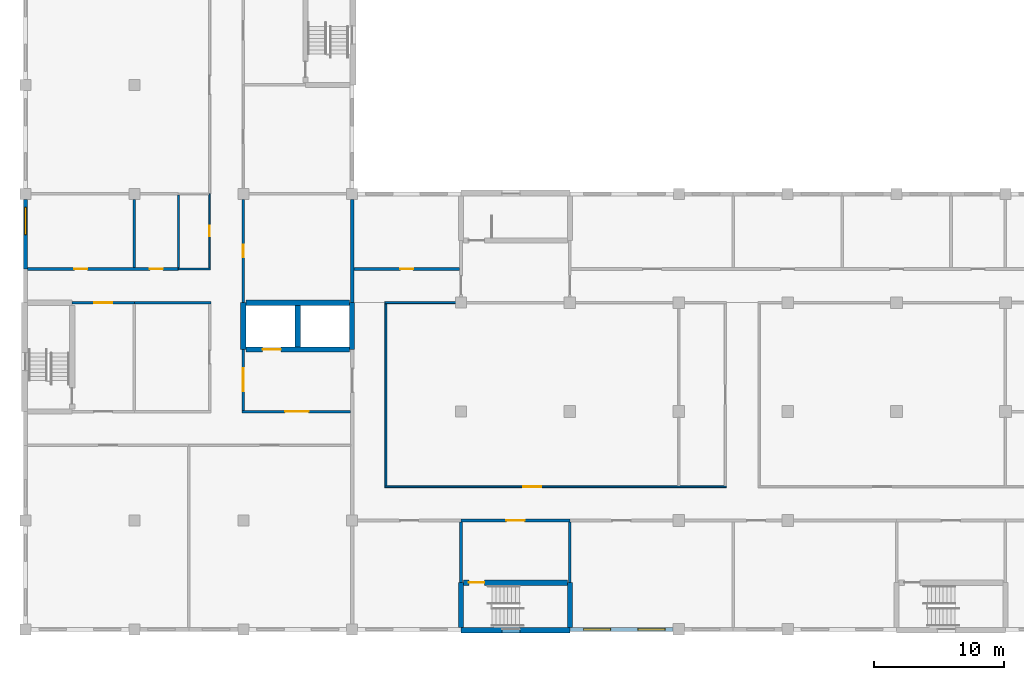
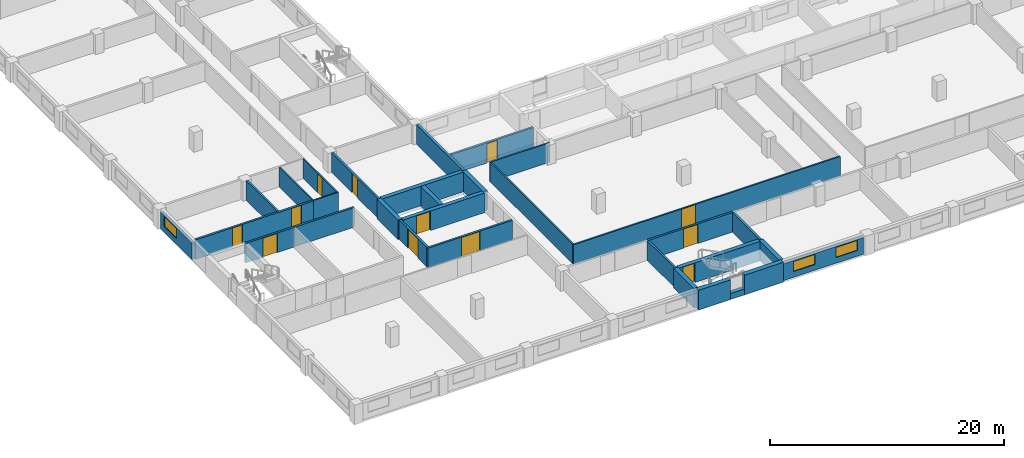
# One storey, part 30 of 48: 31 walls, 12 doors, 3 windows, 15 openings.
"""IFC4 building model written with IfcOpenShell, lengths in metres."""

from ifc_helpers import new_model, si_unit, direction, frame, frame_2d, origin, place, context, subcontext, project, spatial, rectangle, extrude, material, layer, layer_set, type_object, element, fill, save


model = new_model("IFC4")

# Units and contexts
model_context = context("Model", 3, precision=1e-05, world=origin(), true_north=direction((0.0, 1.0)))
body_context = subcontext(model_context, "Body", "Model", "MODEL_VIEW")
ifc_project = project(units=[si_unit("LENGTHUNIT", "METRE"), si_unit("AREAUNIT", "SQUARE_METRE"), si_unit("VOLUMEUNIT", "CUBIC_METRE"), si_unit("PLANEANGLEUNIT", "RADIAN"), si_unit("MASSUNIT", "GRAM", prefix="KILO")], contexts=[model_context])

# Site, building, storey
site_placement = place(None, origin())
site = spatial("IfcSite", under=ifc_project, at=site_placement, CompositionType="ELEMENT")
building_placement = place(site_placement, origin())
building = spatial("IfcBuilding", under=site, at=building_placement, Name="Yavir Park General Hospital", CompositionType="ELEMENT")
storey_placement = place(building_placement, frame((0.0, 0.0, 12.89990234375)))
storey = spatial("IfcBuildingStorey", under=building, at=storey_placement, Name="I02", CompositionType="ELEMENT", Elevation=12.89990234375)

# Wall
ifc_material_1 = material(Name="Concrete C30/37", Category="concrete")
ifc_layer_1 = layer(ifc_material_1, 0.25)
ifc_layer_set_1 = layer_set([ifc_layer_1], Name="Concrete C30/37")
wall_type_1 = type_object("IfcWallType", Name="Compartment fire wall 250, REI 150", PredefinedType="SOLIDWALL", material=ifc_layer_set_1)
wall_1_placement = place(storey_placement, frame((25.199951171875, 25.199951171875, 0.0), z_axis=(0.0, 0.0, 1.0), x_axis=(0.0, 1.0, 0.0)))
element("IfcWall", 1, at=wall_1_placement, inside=storey, type_object=wall_type_1, Name="FW25 I02-137", PredefinedType="SOLIDWALL", context=body_context, shape_type="SweptSolid", body=[
    extrude(rectangle(XDim=7.97509765625, YDim=0.25, at=frame_2d((3.987548828125, 0.0))), origin(), (0.0, 0.0, 1.0), 2.0400390625),
])

# Wall, opening, door
ifc_material_2 = material(Name="Double gypsum board fire partition on steel studs", Category="steel")
ifc_layer_2 = layer(ifc_material_2, 0.199951171875)
ifc_layer_set_2 = layer_set([ifc_layer_2], Name="Double gypsum board fire partition on steel studs")
wall_type_2 = type_object("IfcWallType", Name="Fire-rated partition 200, EI 60", PredefinedType="PARTITIONING", material=ifc_layer_set_2)
wall_2_placement = place(storey_placement, frame((33.60009765625, 8.39990234375, 0.0), z_axis=(0.0, 0.0, 1.0), x_axis=(1.0, 0.0, 0.0)))
wall_2 = element("IfcWall", 2, at=wall_2_placement, inside=storey, type_object=wall_type_2, Name="FP20 I02-006", PredefinedType="PARTITIONING", context=body_context, shape_type="SweptSolid", body=[
    extrude(rectangle(XDim=8.39990234375, YDim=0.199951171875, at=frame_2d((4.199951171875, 0.0))), origin(), (0.0, 0.0, 1.0), 2.0400390625),
])
opening_1_placement = place(wall_2_placement, frame((3.5, 0.0, 0.0)))
opening_1 = element("IfcOpeningElement", 3, at=opening_1_placement, cuts=wall_2, Name="Opening I02.D006", PredefinedType="OPENING", context=body_context, shape_type="SweptSolid", body=[
    extrude(rectangle(XDim=1.39990234375, YDim=2.0, at=frame_2d((0.699951171875, 1.0))), frame((0.0, 0.10986328125, 0.0), z_axis=(0.0, -1.0, 0.0), x_axis=(1.0, 0.0, 0.0)), (0.0, 0.0, 1.0), 0.219970703125),
])
ifc_material_3 = material(Name="Steel frame, fire-resisting leaves with vision panels", Category="steel")
door_type_1 = type_object("IfcDoorType", Name="Double fire door with vision panels 1400 x 2000, EI 60", OperationType="DOUBLE_DOOR_SINGLE_SWING", PredefinedType="DOOR", material=ifc_material_3)
door_1_placement = place(opening_1_placement, origin())
door_1 = element("IfcDoor", 4, at=door_1_placement, inside=storey, type_object=door_type_1, Name="I02.D006", OperationType="SINGLE_SWING_LEFT", OverallHeight=2.0, OverallWidth=1.39990234375, PredefinedType="DOOR", context=body_context, shape_type="SweptSolid", body=[
    extrude(rectangle(XDim=1.39990234375, YDim=2.0, at=frame_2d((0.699951171875, 1.0))), frame((0.0, 0.030029296875, 0.0), z_axis=(0.0, -1.0, 0.0), x_axis=(1.0, 0.0, 0.0)), (0.0, 0.0, 1.0), 0.06005859375),
])
fill(opening_1, door_1)

wall_3_placement = place(storey_placement, frame((16.699951171875, 16.800048828125, 0.0), z_axis=(0.0, 0.0, 1.0), x_axis=(1.0, 0.0, 0.0)))
wall_3 = element("IfcWall", 5, at=wall_3_placement, inside=storey, type_object=wall_type_2, Name="FP20 I02-032", PredefinedType="PARTITIONING", context=body_context, shape_type="SweptSolid", body=[
    extrude(rectangle(XDim=8.375, YDim=0.199951171875, at=frame_2d((4.1875, 0.0))), origin(), (0.0, 0.0, 1.0), 2.0400390625),
])
opening_2_placement = place(wall_3_placement, frame((3.33740234375, 0.0, 0.0)))
opening_2 = element("IfcOpeningElement", 6, at=opening_2_placement, cuts=wall_3, Name="Opening I02.D026", PredefinedType="OPENING", context=body_context, shape_type="SweptSolid", body=[
    extrude(rectangle(XDim=1.800048828125, YDim=2.0, at=frame_2d((0.89990234375, 1.0))), frame((0.0, 0.10986328125, 0.0), z_axis=(0.0, -1.0, 0.0), x_axis=(1.0, 0.0, 0.0)), (0.0, 0.0, 1.0), 0.219970703125),
])
ifc_material_4 = material(Name="Steel frame, fire-resisting leaves with vision panels", Category="steel")
door_type_2 = type_object("IfcDoorType", Name="Double fire door with vision panels 1800 x 2000, EI 60", OperationType="DOUBLE_DOOR_SINGLE_SWING", PredefinedType="DOOR", material=ifc_material_4)
door_2_placement = place(opening_2_placement, origin())
door_2 = element("IfcDoor", 7, at=door_2_placement, inside=storey, type_object=door_type_2, Name="I02.D026", OperationType="SINGLE_SWING_RIGHT", OverallHeight=2.0, OverallWidth=1.800048828125, PredefinedType="DOOR", context=body_context, shape_type="SweptSolid", body=[
    extrude(rectangle(XDim=1.800048828125, YDim=2.0, at=frame_2d((0.89990234375, 1.0))), frame((0.0, 0.030029296875, 0.0), z_axis=(0.0, -1.0, 0.0), x_axis=(1.0, 0.0, 0.0)), (0.0, 0.0, 1.0), 0.06005859375),
])
fill(opening_2, door_2)

wall_4_placement = place(storey_placement, frame((3.60009765625, 25.199951171875, 0.0), z_axis=(0.0, 0.0, 1.0), x_axis=(1.0, 0.0, 0.0)))
wall_4 = element("IfcWall", 8, at=wall_4_placement, inside=storey, type_object=wall_type_2, Name="FP20 I02-041", PredefinedType="PARTITIONING", context=body_context, shape_type="SweptSolid", body=[
    extrude(rectangle(XDim=4.7998046875, YDim=0.199951171875, at=frame_2d((2.39990234375, 0.0))), origin(), (0.0, 0.0, 1.0), 2.0400390625),
])
opening_3_placement = place(wall_4_placement, frame((1.699951171875, 0.0, 0.0)))
opening_3 = element("IfcOpeningElement", 9, at=opening_3_placement, cuts=wall_4, Name="Opening I02.D033", PredefinedType="OPENING", context=body_context, shape_type="SweptSolid", body=[
    extrude(rectangle(XDim=1.39990234375, YDim=2.0, at=frame_2d((0.699951171875, 1.0))), frame((0.0, 0.10986328125, 0.0), z_axis=(0.0, -1.0, 0.0), x_axis=(1.0, 0.0, 0.0)), (0.0, 0.0, 1.0), 0.219970703125),
])
door_3_placement = place(opening_3_placement, origin())
door_3 = element("IfcDoor", 10, at=door_3_placement, inside=storey, type_object=door_type_1, Name="I02.D033", OperationType="SINGLE_SWING_RIGHT", OverallHeight=2.0, OverallWidth=1.39990234375, PredefinedType="DOOR", context=body_context, shape_type="SweptSolid", body=[
    extrude(rectangle(XDim=1.39990234375, YDim=2.0, at=frame_2d((0.699951171875, 1.0))), frame((0.0, 0.030029296875, 0.0), z_axis=(0.0, -1.0, 0.0), x_axis=(1.0, 0.0, 0.0)), (0.0, 0.0, 1.0), 0.06005859375),
])
fill(opening_3, door_3)

wall_5_placement = place(storey_placement, frame((16.800048828125, 16.89990234375, 0.0), z_axis=(0.0, 0.0, 1.0), x_axis=(0.0, 1.0, 0.0)))
wall_5 = element("IfcWall", 11, at=wall_5_placement, inside=storey, type_object=wall_type_2, Name="FP20 I02-117", PredefinedType="PARTITIONING", context=body_context, shape_type="SweptSolid", body=[
    extrude(rectangle(XDim=4.7001953125, YDim=0.199951171875, at=frame_2d((2.35009765625, 0.0))), origin(), (0.0, 0.0, 1.0), 2.0400390625),
])
opening_4_placement = place(wall_5_placement, frame((1.449951171875, 0.0, 0.0)))
opening_4 = element("IfcOpeningElement", 12, at=opening_4_placement, cuts=wall_5, Name="Opening I02.D064", PredefinedType="OPENING", context=body_context, shape_type="SweptSolid", body=[
    extrude(rectangle(XDim=1.800048828125, YDim=2.0, at=frame_2d((0.89990234375, 1.0))), frame((0.0, 0.10986328125, 0.0), z_axis=(0.0, -1.0, 0.0), x_axis=(1.0, 0.0, 0.0)), (0.0, 0.0, 1.0), 0.219970703125),
])
door_4_placement = place(opening_4_placement, origin())
door_4 = element("IfcDoor", 13, at=door_4_placement, inside=storey, type_object=door_type_2, Name="I02.D064", OperationType="SINGLE_SWING_LEFT", OverallHeight=2.0, OverallWidth=1.800048828125, PredefinedType="DOOR", context=body_context, shape_type="SweptSolid", body=[
    extrude(rectangle(XDim=1.800048828125, YDim=2.0, at=frame_2d((0.89990234375, 1.0))), frame((0.0, 0.030029296875, 0.0), z_axis=(0.0, -1.0, 0.0), x_axis=(1.0, 0.0, 0.0)), (0.0, 0.0, 1.0), 0.06005859375),
])
fill(opening_4, door_4)

# Walls
for number, where, z_axis, x_axis, name in (
    (14, (33.60009765625, 3.60009765625, 0.0), (0.0, 0.0, 1.0), (0.0, 1.0, 0.0), "FP20 I02-140"),
    (15, (42.0, 3.60009765625, 0.0), (0.0, 0.0, 1.0), (0.0, 1.0, 0.0), "FP20 I02-144"),
):
    element("IfcWall", number, at=place(storey_placement, frame(where, z_axis=z_axis, x_axis=x_axis)), inside=storey, type_object=wall_type_2, Name=name, PredefinedType="PARTITIONING", context=body_context, shape_type="SweptSolid", body=[
        extrude(rectangle(XDim=4.699951171875, YDim=0.199951171875, at=frame_2d((2.35009765625, 0.0))), origin(), (0.0, 0.0, 1.0), 2.0400390625),
    ])

# Wall, opening, door
ifc_material_5 = material(Name="Gypsum board partition on steel studs", Category="steel")
ifc_layer_3 = layer(ifc_material_5, 0.14990234375)
ifc_layer_set_3 = layer_set([ifc_layer_3], Name="Gypsum board partition on steel studs")
wall_type_3 = type_object("IfcWallType", Name="Gypsum board partition 150", PredefinedType="PARTITIONING", material=ifc_layer_set_3)
wall_6_placement = place(storey_placement, frame((27.72509765625, 11.0, 0.0), z_axis=(0.0, 0.0, 1.0), x_axis=(1.0, 0.0, 0.0)))
wall_6 = element("IfcWall", 16, at=wall_6_placement, inside=storey, type_object=wall_type_3, Name="P15 I02-022", PredefinedType="PARTITIONING", context=body_context, shape_type="SweptSolid", body=[
    extrude(rectangle(XDim=26.349853515625, YDim=0.14990234375, at=frame_2d((13.1748046875, 0.0))), origin(), (0.0, 0.0, 1.0), 2.0400390625),
])
opening_5_placement = place(wall_6_placement, frame((10.675048828125, 0.0, 0.0)))
opening_5 = element("IfcOpeningElement", 17, at=opening_5_placement, cuts=wall_6, Name="Opening I02.D018", PredefinedType="OPENING", context=body_context, shape_type="SweptSolid", body=[
    extrude(rectangle(XDim=1.39990234375, YDim=2.0, at=frame_2d((0.699951171875, 1.0))), frame((0.0, 0.0849609375, 0.0), z_axis=(0.0, -1.0, 0.0), x_axis=(1.0, 0.0, 0.0)), (0.0, 0.0, 1.0), 0.169921875),
])
ifc_material_6 = material(Name="Hollow metal frame, solid-core timber leaf", Category="wood")
door_type_3 = type_object("IfcDoorType", Name="Double swing door 1400 x 2000", OperationType="DOUBLE_DOOR_SINGLE_SWING", PredefinedType="DOOR", material=ifc_material_6)
door_5_placement = place(opening_5_placement, origin())
door_5 = element("IfcDoor", 18, at=door_5_placement, inside=storey, type_object=door_type_3, Name="I02.D018", OperationType="SINGLE_SWING_RIGHT", OverallHeight=2.0, OverallWidth=1.39990234375, PredefinedType="DOOR", context=body_context, shape_type="SweptSolid", body=[
    extrude(rectangle(XDim=1.39990234375, YDim=2.0, at=frame_2d((0.699951171875, 1.0))), frame((0.0, 0.02490234375, 0.0), z_axis=(0.0, -1.0, 0.0), x_axis=(1.0, 0.0, 0.0)), (0.0, 0.0, 1.0), 0.050048828125),
])
fill(opening_5, door_5)

# Walls
wall_7_placement = place(storey_placement, frame((27.72509765625, 25.199951171875, 0.0), z_axis=(0.0, 0.0, 1.0), x_axis=(1.0, 0.0, 0.0)))
element("IfcWall", 19, at=wall_7_placement, inside=storey, type_object=wall_type_3, Name="P15 I02-044", PredefinedType="PARTITIONING", context=body_context, shape_type="SweptSolid", body=[
    extrude(rectangle(XDim=5.875, YDim=0.14990234375, at=frame_2d((2.9375, 0.0))), origin(), (0.0, 0.0, 1.0), 2.0400390625),
])
wall_8_placement = place(storey_placement, frame((27.800048828125, 11.074951171875, 0.0), z_axis=(0.0, 0.0, 1.0), x_axis=(0.0, 1.0, 0.0)))
element("IfcWall", 20, at=wall_8_placement, inside=storey, type_object=wall_type_3, Name="P15 I02-138", PredefinedType="PARTITIONING", context=body_context, shape_type="SweptSolid", body=[
    extrude(rectangle(XDim=14.050048828125, YDim=0.14990234375, at=frame_2d((7.02490234375, 0.0))), origin(), (0.0, 0.0, 1.0), 2.0400390625),
])

# Wall, openings, windows
ifc_material_7 = material(Name="Insulated sandwich panels on a Steel S355 subframe", Category="steel")
ifc_layer_4 = layer(ifc_material_7, 0.300048828125)
ifc_layer_set_4 = layer_set([ifc_layer_4], Name="Insulated sandwich panels on a Steel S355 subframe")
wall_type_4 = type_object("IfcWallType", Name="Insulated panel service floor wall 300, E 30", PredefinedType="SOLIDWALL", material=ifc_layer_set_4)
wall_9_placement = place(storey_placement, frame((42.0, 0.0, 0.0), z_axis=(0.0, 0.0, 1.0), x_axis=(1.0, 0.0, 0.0)))
wall_9 = element("IfcWall", 21, at=wall_9_placement, inside=storey, type_object=wall_type_4, Name="XW5 I02-009", PredefinedType="SOLIDWALL", context=body_context, shape_type="SweptSolid", body=[
    extrude(rectangle(XDim=7.949951171875, YDim=0.300048828125, at=frame_2d((3.97509765625, 0.0))), origin(), (0.0, 0.0, 1.0), 1.739990234375),
])
opening_6_placement = place(wall_9_placement, frame((1.050048828125, 0.0, 0.60009765625)))
opening_6 = element("IfcOpeningElement", 22, at=opening_6_placement, cuts=wall_9, Name="Opening LV3", PredefinedType="OPENING", context=body_context, shape_type="SweptSolid", body=[
    extrude(rectangle(XDim=2.10009765625, YDim=1.050048828125, at=frame_2d((1.050048828125, 0.52490234375))), frame((0.0, 0.159912109375, 0.0), z_axis=(0.0, -1.0, 0.0), x_axis=(1.0, 0.0, 0.0)), (0.0, 0.0, 1.0), 0.320068359375),
])
opening_7_placement = place(wall_9_placement, frame((5.25, 0.0, 0.60009765625)))
opening_7 = element("IfcOpeningElement", 23, at=opening_7_placement, cuts=wall_9, Name="Opening LV3", PredefinedType="OPENING", context=body_context, shape_type="SweptSolid", body=[
    extrude(rectangle(XDim=2.10009765625, YDim=1.050048828125, at=frame_2d((1.050048828125, 0.52490234375))), frame((0.0, 0.159912109375, 0.0), z_axis=(0.0, -1.0, 0.0), x_axis=(1.0, 0.0, 0.0)), (0.0, 0.0, 1.0), 0.320068359375),
])
ifc_material_8 = material(Name="Anodised aluminium louvre blades in a deep frame", Category="aluminium")
window_type = type_object("IfcWindowType", Name="Interstitial floor louvre 2100 x 1050", PartitioningType="SINGLE_PANEL", PredefinedType="WINDOW", material=ifc_material_8)
window_1_placement = place(opening_6_placement, origin())
window_1 = element("IfcWindow", 24, at=window_1_placement, inside=storey, type_object=window_type, Name="LV3 I02-009", OverallHeight=1.050048828125, OverallWidth=2.10009765625, PartitioningType="SINGLE_PANEL", PredefinedType="WINDOW", context=body_context, shape_type="SweptSolid", body=[
    extrude(rectangle(XDim=2.10009765625, YDim=1.050048828125, at=frame_2d((1.050048828125, 0.52490234375))), frame((0.0, 0.074951171875, 0.0), z_axis=(0.0, -1.0, 0.0), x_axis=(1.0, 0.0, 0.0)), (0.0, 0.0, 1.0), 0.14990234375),
])
fill(opening_6, window_1)
window_2_placement = place(opening_7_placement, origin())
window_2 = element("IfcWindow", 25, at=window_2_placement, inside=storey, type_object=window_type, Name="LV3 I02-010", OverallHeight=1.050048828125, OverallWidth=2.10009765625, PartitioningType="SINGLE_PANEL", PredefinedType="WINDOW", context=body_context, shape_type="SweptSolid", body=[
    extrude(rectangle(XDim=2.10009765625, YDim=1.050048828125, at=frame_2d((1.050048828125, 0.52490234375))), frame((0.0, 0.074951171875, 0.0), z_axis=(0.0, -1.0, 0.0), x_axis=(1.0, 0.0, 0.0)), (0.0, 0.0, 1.0), 0.14990234375),
])
fill(opening_7, window_2)

# Wall, opening, window
wall_10_placement = place(storey_placement, frame((0.0, 27.800048828125, 0.0), z_axis=(0.0, 0.0, 1.0), x_axis=(0.0, 1.0, 0.0)))
wall_10 = element("IfcWall", 26, at=wall_10_placement, inside=storey, type_object=wall_type_4, Name="XW5 I02-077", PredefinedType="SOLIDWALL", context=body_context, shape_type="SweptSolid", body=[
    extrude(rectangle(XDim=5.375, YDim=0.300048828125, at=frame_2d((2.6875, 0.0))), origin(), (0.0, 0.0, 1.0), 1.739990234375),
])
opening_8_placement = place(wall_10_placement, frame((2.64990234375, 0.0, 0.60009765625)))
opening_8 = element("IfcOpeningElement", 27, at=opening_8_placement, cuts=wall_10, Name="Opening LV3", PredefinedType="OPENING", context=body_context, shape_type="SweptSolid", body=[
    extrude(rectangle(XDim=2.10009765625, YDim=1.050048828125, at=frame_2d((1.050048828125, 0.52490234375))), frame((0.0, 0.159912109375, 0.0), z_axis=(0.0, -1.0, 0.0), x_axis=(1.0, 0.0, 0.0)), (0.0, 0.0, 1.0), 0.320068359375),
])
window_3_placement = place(opening_8_placement, origin())
window_3 = element("IfcWindow", 28, at=window_3_placement, inside=storey, type_object=window_type, Name="LV3 I02-066", OverallHeight=1.050048828125, OverallWidth=2.10009765625, PartitioningType="SINGLE_PANEL", PredefinedType="WINDOW", context=body_context, shape_type="SweptSolid", body=[
    extrude(rectangle(XDim=2.10009765625, YDim=1.050048828125, at=frame_2d((1.050048828125, 0.52490234375))), frame((0.0, 0.074951171875, 0.0), z_axis=(0.0, -1.0, 0.0), x_axis=(1.0, 0.0, 0.0)), (0.0, 0.0, 1.0), 0.14990234375),
])
fill(opening_8, window_3)

# Wall
ifc_material_9 = material(Name="Clay block masonry infill", Category="masonry")
ifc_layer_5 = layer(ifc_material_9, 0.199951171875)
ifc_layer_set_5 = layer_set([ifc_layer_5], Name="Clay block masonry infill")
wall_type_5 = type_object("IfcWallType", Name="Masonry infill wall 200", PredefinedType="SOLIDWALL", material=ifc_layer_set_5)
wall_11_placement = place(storey_placement, frame((8.39990234375, 25.199951171875, 0.0), z_axis=(0.0, 0.0, 1.0), x_axis=(1.0, 0.0, 0.0)))
element("IfcWall", 29, at=wall_11_placement, inside=storey, type_object=wall_type_5, Name="MW20 I02-042", PredefinedType="SOLIDWALL", context=body_context, shape_type="SweptSolid", body=[
    extrude(rectangle(XDim=5.900146484375, YDim=0.199951171875, at=frame_2d((2.9501953125, 0.0))), origin(), (0.0, 0.0, 1.0), 2.0400390625),
])

# Wall, openings, doors
wall_12_placement = place(storey_placement, frame((0.14990234375, 27.800048828125, 0.0), z_axis=(0.0, 0.0, 1.0), x_axis=(1.0, 0.0, 0.0)))
wall_12 = element("IfcWall", 30, at=wall_12_placement, inside=storey, type_object=wall_type_5, Name="MW20 I02-062", PredefinedType="SOLIDWALL", context=body_context, shape_type="SweptSolid", body=[
    extrude(rectangle(XDim=11.650146484375, YDim=0.199951171875, at=frame_2d((5.8251953125, 0.0))), origin(), (0.0, 0.0, 1.0), 2.0400390625),
])
opening_9_placement = place(wall_12_placement, frame((3.625, 0.0, 0.0)))
opening_9 = element("IfcOpeningElement", 31, at=opening_9_placement, cuts=wall_12, Name="Opening I02.D035", PredefinedType="OPENING", context=body_context, shape_type="SweptSolid", body=[
    extrude(rectangle(XDim=1.0, YDim=2.0, at=frame_2d((0.5, 1.0))), frame((0.0, 0.10986328125, 0.0), z_axis=(0.0, -1.0, 0.0), x_axis=(1.0, 0.0, 0.0)), (0.0, 0.0, 1.0), 0.219970703125),
])
opening_10_placement = place(wall_12_placement, frame((9.449951171875, 0.0, 0.0)))
opening_10 = element("IfcOpeningElement", 32, at=opening_10_placement, cuts=wall_12, Name="Opening I02.D036", PredefinedType="OPENING", context=body_context, shape_type="SweptSolid", body=[
    extrude(rectangle(XDim=1.0, YDim=2.0, at=frame_2d((0.5, 1.0))), frame((0.0, 0.10986328125, 0.0), z_axis=(0.0, -1.0, 0.0), x_axis=(1.0, 0.0, 0.0)), (0.0, 0.0, 1.0), 0.219970703125),
])
ifc_material_10 = material(Name="Hollow metal frame, solid-core timber leaf", Category="wood")
door_type_4 = type_object("IfcDoorType", Name="Single swing door 1000 x 2000", OperationType="SINGLE_SWING_LEFT", PredefinedType="DOOR", material=ifc_material_10)
door_6_placement = place(opening_9_placement, origin())
door_6 = element("IfcDoor", 33, at=door_6_placement, inside=storey, type_object=door_type_4, Name="I02.D035", OperationType="SINGLE_SWING_LEFT", OverallHeight=2.0, OverallWidth=1.0, PredefinedType="DOOR", context=body_context, shape_type="SweptSolid", body=[
    extrude(rectangle(XDim=1.0, YDim=2.0, at=frame_2d((0.5, 1.0))), frame((0.0, 0.02490234375, 0.0), z_axis=(0.0, -1.0, 0.0), x_axis=(1.0, 0.0, 0.0)), (0.0, 0.0, 1.0), 0.050048828125),
])
fill(opening_9, door_6)
door_7_placement = place(opening_10_placement, origin())
door_7 = element("IfcDoor", 34, at=door_7_placement, inside=storey, type_object=door_type_4, Name="I02.D036", OperationType="SINGLE_SWING_RIGHT", OverallHeight=2.0, OverallWidth=1.0, PredefinedType="DOOR", context=body_context, shape_type="SweptSolid", body=[
    extrude(rectangle(XDim=1.0, YDim=2.0, at=frame_2d((0.5, 1.0))), frame((0.0, 0.02490234375, 0.0), z_axis=(0.0, -1.0, 0.0), x_axis=(1.0, 0.0, 0.0)), (0.0, 0.0, 1.0), 0.050048828125),
])
fill(opening_10, door_7)

# Wall, opening, door
wall_13_placement = place(storey_placement, frame((25.324951171875, 27.800048828125, 0.0), z_axis=(0.0, 0.0, 1.0), x_axis=(1.0, 0.0, 0.0)))
wall_13 = element("IfcWall", 35, at=wall_13_placement, inside=storey, type_object=wall_type_5, Name="MW20 I02-064", PredefinedType="SOLIDWALL", context=body_context, shape_type="SweptSolid", body=[
    extrude(rectangle(XDim=8.175048828125, YDim=0.199951171875, at=frame_2d((4.08740234375, 0.0))), origin(), (0.0, 0.0, 1.0), 2.10009765625),
])
opening_11_placement = place(wall_13_placement, frame((3.58740234375, 0.0, 0.0)))
opening_11 = element("IfcOpeningElement", 36, at=opening_11_placement, cuts=wall_13, Name="Opening I02.D037", PredefinedType="OPENING", context=body_context, shape_type="SweptSolid", body=[
    extrude(rectangle(XDim=1.0, YDim=2.0, at=frame_2d((0.5, 1.0))), frame((0.0, 0.10986328125, 0.0), z_axis=(0.0, -1.0, 0.0), x_axis=(1.0, 0.0, 0.0)), (0.0, 0.0, 1.0), 0.219970703125),
])
door_8_placement = place(opening_11_placement, origin())
door_8 = element("IfcDoor", 37, at=door_8_placement, inside=storey, type_object=door_type_4, Name="I02.D037", OperationType="SINGLE_SWING_RIGHT", OverallHeight=2.0, OverallWidth=1.0, PredefinedType="DOOR", context=body_context, shape_type="SweptSolid", body=[
    extrude(rectangle(XDim=1.0, YDim=2.0, at=frame_2d((0.5, 1.0))), frame((0.0, 0.02490234375, 0.0), z_axis=(0.0, -1.0, 0.0), x_axis=(1.0, 0.0, 0.0)), (0.0, 0.0, 1.0), 0.050048828125),
])
fill(opening_11, door_8)

# Wall
wall_14_placement = place(storey_placement, frame((8.39990234375, 27.89990234375, 0.0), z_axis=(0.0, 0.0, 1.0), x_axis=(0.0, 1.0, 0.0)))
element("IfcWall", 38, at=wall_14_placement, inside=storey, type_object=wall_type_5, Name="MW20 I02-107", PredefinedType="SOLIDWALL", context=body_context, shape_type="SweptSolid", body=[
    extrude(rectangle(XDim=5.275146484375, YDim=0.199951171875, at=frame_2d((2.6376953125, 0.0))), origin(), (0.0, 0.0, 1.0), 2.0400390625),
])

# Wall, opening, door
wall_15_placement = place(storey_placement, frame((16.800048828125, 25.199951171875, 0.0), z_axis=(0.0, 0.0, 1.0), x_axis=(0.0, 1.0, 0.0)))
wall_15 = element("IfcWall", 39, at=wall_15_placement, inside=storey, type_object=wall_type_5, Name="MW20 I02-119", PredefinedType="SOLIDWALL", context=body_context, shape_type="SweptSolid", body=[
    extrude(rectangle(XDim=7.97509765625, YDim=0.199951171875, at=frame_2d((3.987548828125, 0.0))), origin(), (0.0, 0.0, 1.0), 2.0400390625),
])
opening_12_placement = place(wall_15_placement, frame((3.487548828125, 0.0, 0.0)))
opening_12 = element("IfcOpeningElement", 40, at=opening_12_placement, cuts=wall_15, Name="Opening I02.D065", PredefinedType="OPENING", context=body_context, shape_type="SweptSolid", body=[
    extrude(rectangle(XDim=1.0, YDim=2.0, at=frame_2d((0.5, 1.0))), frame((0.0, 0.10986328125, 0.0), z_axis=(0.0, -1.0, 0.0), x_axis=(1.0, 0.0, 0.0)), (0.0, 0.0, 1.0), 0.219970703125),
])
door_9_placement = place(opening_12_placement, origin())
door_9 = element("IfcDoor", 41, at=door_9_placement, inside=storey, type_object=door_type_4, Name="I02.D065", OperationType="SINGLE_SWING_LEFT", OverallHeight=2.0, OverallWidth=1.0, PredefinedType="DOOR", context=body_context, shape_type="SweptSolid", body=[
    extrude(rectangle(XDim=1.0, YDim=2.0, at=frame_2d((0.5, 1.0))), frame((0.0, 0.02490234375, 0.0), z_axis=(0.0, -1.0, 0.0), x_axis=(1.0, 0.0, 0.0)), (0.0, 0.0, 1.0), 0.050048828125),
])
fill(opening_12, door_9)

ifc_material_11 = material(Name="Concrete C35/45", Category="concrete")
ifc_layer_6 = layer(ifc_material_11, 0.39990234375)
ifc_layer_set_6 = layer_set([ifc_layer_6], Name="Concrete C35/45")
wall_type_6 = type_object("IfcWallType", Name="Reinforced concrete core wall 400, REI 150", PredefinedType="SHEAR", material=ifc_layer_set_6)
wall_16_placement = place(storey_placement, frame((33.800048828125, 3.60009765625, 0.0), z_axis=(0.0, 0.0, 1.0), x_axis=(1.0, 0.0, 0.0)))
wall_16 = element("IfcWall", 42, at=wall_16_placement, inside=storey, type_object=wall_type_6, Name="CW40 I02-001", PredefinedType="SHEAR", context=body_context, shape_type="SweptSolid", body=[
    extrude(rectangle(XDim=8.0, YDim=0.39990234375, at=frame_2d((4.0, 0.0))), origin(), (0.0, 0.0, 1.0), 2.0400390625),
])
opening_13_placement = place(wall_16_placement, frame((0.39990234375, 0.0, 0.0)))
opening_13 = element("IfcOpeningElement", 43, at=opening_13_placement, cuts=wall_16, Name="Opening I02.D001", PredefinedType="OPENING", context=body_context, shape_type="SweptSolid", body=[
    extrude(rectangle(XDim=1.199951171875, YDim=2.0, at=frame_2d((0.60009765625, 1.0))), frame((0.0, 0.2099609375, 0.0), z_axis=(0.0, -1.0, 0.0), x_axis=(1.0, 0.0, 0.0)), (0.0, 0.0, 1.0), 0.419921875),
])
ifc_material_12 = material(Name="Steel frame, fire-resisting timber leaf", Category="steel")
door_type_5 = type_object("IfcDoorType", Name="Fire door 1200 x 2000, EI 60", OperationType="SINGLE_SWING_LEFT", PredefinedType="DOOR", material=ifc_material_12)
door_10_placement = place(opening_13_placement, origin())
door_10 = element("IfcDoor", 44, at=door_10_placement, inside=storey, type_object=door_type_5, Name="I02.D001", OperationType="SINGLE_SWING_LEFT", OverallHeight=2.0, OverallWidth=1.199951171875, PredefinedType="DOOR", context=body_context, shape_type="SweptSolid", body=[
    extrude(rectangle(XDim=1.199951171875, YDim=2.0, at=frame_2d((0.60009765625, 1.0))), frame((0.0, 0.02490234375, 0.0), z_axis=(0.0, -1.0, 0.0), x_axis=(1.0, 0.0, 0.0)), (0.0, 0.0, 1.0), 0.050048828125),
])
fill(opening_13, door_10)

wall_17_placement = place(storey_placement, frame((17.0, 21.60009765625, 0.0), z_axis=(0.0, 0.0, 1.0), x_axis=(1.0, 0.0, 0.0)))
wall_17 = element("IfcWall", 45, at=wall_17_placement, inside=storey, type_object=wall_type_6, Name="CW40 I02-038", PredefinedType="SHEAR", context=body_context, shape_type="SweptSolid", body=[
    extrude(rectangle(XDim=8.0, YDim=0.39990234375, at=frame_2d((4.0, 0.0))), origin(), (0.0, 0.0, 1.0), 2.0400390625),
])
opening_14_placement = place(wall_17_placement, frame((1.300048828125, 0.0, 0.0)))
opening_14 = element("IfcOpeningElement", 46, at=opening_14_placement, cuts=wall_17, Name="Opening I02.D029", PredefinedType="OPENING", context=body_context, shape_type="SweptSolid", body=[
    extrude(rectangle(XDim=1.39990234375, YDim=2.0, at=frame_2d((0.699951171875, 1.0))), frame((0.0, 0.2099609375, 0.0), z_axis=(0.0, -1.0, 0.0), x_axis=(1.0, 0.0, 0.0)), (0.0, 0.0, 1.0), 0.419921875),
])
ifc_material_13 = material(Name="Stainless steel landing door panels", Category="steel")
door_type_6 = type_object("IfcDoorType", Name="Lift landing door 1400 x 2000, EI 60", OperationType="SLIDING_TO_LEFT", PredefinedType="DOOR", material=ifc_material_13)
door_11_placement = place(opening_14_placement, origin())
door_11 = element("IfcDoor", 47, at=door_11_placement, inside=storey, type_object=door_type_6, Name="I02.D029", OperationType="SLIDING_TO_LEFT", OverallHeight=2.0, OverallWidth=1.39990234375, PredefinedType="DOOR", context=body_context, shape_type="SweptSolid", body=[
    extrude(rectangle(XDim=1.39990234375, YDim=2.0, at=frame_2d((0.699951171875, 1.0))), frame((0.0, 0.02490234375, 0.0), z_axis=(0.0, -1.0, 0.0), x_axis=(1.0, 0.0, 0.0)), (0.0, 0.0, 1.0), 0.050048828125),
])
fill(opening_14, door_11)

# Walls
wall_18_placement = place(storey_placement, frame((17.0, 25.199951171875, 0.0), z_axis=(0.0, 0.0, 1.0), x_axis=(1.0, 0.0, 0.0)))
element("IfcWall", 48, at=wall_18_placement, inside=storey, type_object=wall_type_6, Name="CW40 I02-043", PredefinedType="SHEAR", context=body_context, shape_type="SweptSolid", body=[
    extrude(rectangle(XDim=8.0, YDim=0.39990234375, at=frame_2d((4.0, 0.0))), origin(), (0.0, 0.0, 1.0), 2.0400390625),
])
wall_19_placement = place(storey_placement, frame((16.800048828125, 21.60009765625, 0.0), z_axis=(0.0, 0.0, 1.0), x_axis=(0.0, 1.0, 0.0)))
element("IfcWall", 49, at=wall_19_placement, inside=storey, type_object=wall_type_6, Name="CW40 I02-118", PredefinedType="SHEAR", context=body_context, shape_type="SweptSolid", body=[
    extrude(rectangle(XDim=3.599853515625, YDim=0.39990234375, at=frame_2d((1.7998046875, 0.0))), origin(), (0.0, 0.0, 1.0), 2.0400390625),
])
wall_20_placement = place(storey_placement, frame((21.0, 21.800048828125, 0.0), z_axis=(0.0, 0.0, 1.0), x_axis=(0.0, 1.0, 0.0)))
element("IfcWall", 50, at=wall_20_placement, inside=storey, type_object=wall_type_6, Name="CW40 I02-130", PredefinedType="SHEAR", context=body_context, shape_type="SweptSolid", body=[
    extrude(rectangle(XDim=3.199951171875, YDim=0.39990234375, at=frame_2d((1.60009765625, 0.0))), origin(), (0.0, 0.0, 1.0), 2.0400390625),
])
wall_21_placement = place(storey_placement, frame((25.199951171875, 21.60009765625, 0.0), z_axis=(0.0, 0.0, 1.0), x_axis=(0.0, 1.0, 0.0)))
element("IfcWall", 51, at=wall_21_placement, inside=storey, type_object=wall_type_6, Name="CW40 I02-136", PredefinedType="SHEAR", context=body_context, shape_type="SweptSolid", body=[
    extrude(rectangle(XDim=3.599853515625, YDim=0.39990234375, at=frame_2d((1.7998046875, 0.0))), origin(), (0.0, 0.0, 1.0), 2.0400390625),
])
for number, where, z_axis, x_axis, name in (
    (52, (33.60009765625, 0.14990234375, 0.0), (0.0, 0.0, 1.0), (0.0, 1.0, 0.0), "CW40 I02-139"),
    (53, (42.0, 0.14990234375, 0.0), (0.0, 0.0, 1.0), (0.0, 1.0, 0.0), "CW40 I02-143"),
):
    element("IfcWall", number, at=place(storey_placement, frame(where, z_axis=z_axis, x_axis=x_axis)), inside=storey, type_object=wall_type_6, Name=name, PredefinedType="SHEAR", context=body_context, shape_type="SweptSolid", body=[
        extrude(rectangle(XDim=3.4501953125, YDim=0.39990234375, at=frame_2d((1.72509765625, 0.0))), origin(), (0.0, 0.0, 1.0), 2.0400390625),
    ])
ifc_material_14 = material(Name="Gypsum shaft wall system on steel studs", Category="steel")
ifc_layer_7 = layer(ifc_material_14, 0.125)
ifc_layer_set_7 = layer_set([ifc_layer_7], Name="Gypsum shaft wall system on steel studs")
wall_type_7 = type_object("IfcWallType", Name="Shaft wall 125, EI 90", PredefinedType="SOLIDWALL", material=ifc_layer_set_7)
wall_22_placement = place(storey_placement, frame((11.800048828125, 27.800048828125, 0.0), z_axis=(0.0, 0.0, 1.0), x_axis=(1.0, 0.0, 0.0)))
element("IfcWall", 54, at=wall_22_placement, inside=storey, type_object=wall_type_7, Name="SW125 I02-063", PredefinedType="SOLIDWALL", context=body_context, shape_type="SweptSolid", body=[
    extrude(rectangle(XDim=2.46240234375, YDim=0.125, at=frame_2d((1.231201171875, 0.0))), origin(), (0.0, 0.0, 1.0), 2.0400390625),
])
wall_23_placement = place(storey_placement, frame((11.800048828125, 27.89990234375, 0.0), z_axis=(0.0, 0.0, 1.0), x_axis=(0.0, 1.0, 0.0)))
element("IfcWall", 55, at=wall_23_placement, inside=storey, type_object=wall_type_7, Name="SW125 I02-109", PredefinedType="SOLIDWALL", context=body_context, shape_type="SweptSolid", body=[
    extrude(rectangle(XDim=5.60009765625, YDim=0.125, at=frame_2d((2.800048828125, 0.0))), origin(), (0.0, 0.0, 1.0), 2.0400390625),
])

# Wall, opening, door
wall_24_placement = place(storey_placement, frame((14.199951171875, 27.862548828125, 0.0), z_axis=(0.0, 0.0, 1.0), x_axis=(0.0, 1.0, 0.0)))
wall_24 = element("IfcWall", 56, at=wall_24_placement, inside=storey, type_object=wall_type_7, Name="SW125 I02-112", PredefinedType="SOLIDWALL", context=body_context, shape_type="SweptSolid", body=[
    extrude(rectangle(XDim=5.737548828125, YDim=0.125, at=frame_2d((2.86865234375, 0.0))), origin(), (0.0, 0.0, 1.0), 2.0400390625),
])
opening_15_placement = place(wall_24_placement, frame((2.46875, 0.0, 0.0)))
opening_15 = element("IfcOpeningElement", 57, at=opening_15_placement, cuts=wall_24, Name="Opening I02.D056", PredefinedType="OPENING", context=body_context, shape_type="SweptSolid", body=[
    extrude(rectangle(XDim=0.800048828125, YDim=2.0, at=frame_2d((0.39990234375, 1.0))), frame((0.0, 0.072509765625, 0.0), z_axis=(0.0, -1.0, 0.0), x_axis=(1.0, 0.0, 0.0)), (0.0, 0.0, 1.0), 0.14501953125),
])
ifc_material_15 = material(Name="Steel frame, fire-resisting access leaf", Category="steel")
door_type_7 = type_object("IfcDoorType", Name="Fire-resisting riser access door 800 x 2000, EI 90", OperationType="SINGLE_SWING_LEFT", PredefinedType="DOOR", material=ifc_material_15)
door_12_placement = place(opening_15_placement, origin())
door_12 = element("IfcDoor", 58, at=door_12_placement, inside=storey, type_object=door_type_7, Name="I02.D056", OperationType="SINGLE_SWING_LEFT", OverallHeight=2.0, OverallWidth=0.800048828125, PredefinedType="DOOR", context=body_context, shape_type="SweptSolid", body=[
    extrude(rectangle(XDim=0.800048828125, YDim=2.0, at=frame_2d((0.39990234375, 1.0))), frame((0.0, 0.030029296875, 0.0), z_axis=(0.0, -1.0, 0.0), x_axis=(1.0, 0.0, 0.0)), (0.0, 0.0, 1.0), 0.06005859375),
])
fill(opening_15, door_12)

# Walls
ifc_material_16 = material(Name="Concrete C30/37 precast panel with 150 mm mineral wool insulation", Category="concrete")
ifc_layer_8 = layer(ifc_material_16, 0.449951171875)
ifc_layer_set_8 = layer_set([ifc_layer_8], Name="Concrete C30/37 precast panel with 150 mm mineral wool insulation")
wall_type_8 = type_object("IfcWallType", Name="Stair enclosure wall 450, REI 150", PredefinedType="SOLIDWALL", material=ifc_layer_set_8)
wall_25_placement = place(storey_placement, frame((33.60009765625, -0.074951171875, 0.0), z_axis=(0.0, 0.0, 1.0), x_axis=(1.0, 0.0, 0.0)))
element("IfcWall", 59, at=wall_25_placement, inside=storey, type_object=wall_type_8, Name="XW6 I02-006", PredefinedType="SOLIDWALL", context=body_context, shape_type="SweptSolid", body=[
    extrude(rectangle(XDim=3.14990234375, YDim=0.449951171875, at=frame_2d((1.574951171875, 0.0))), origin(), (0.0, 0.0, 1.0), 2.0400390625),
])
wall_26_placement = place(storey_placement, frame((38.14990234375, -0.074951171875, 0.0), z_axis=(0.0, 0.0, 1.0), x_axis=(1.0, 0.0, 0.0)))
element("IfcWall", 60, at=wall_26_placement, inside=storey, type_object=wall_type_8, Name="XW6 I02-007", PredefinedType="SOLIDWALL", context=body_context, shape_type="SweptSolid", body=[
    extrude(rectangle(XDim=3.85009765625, YDim=0.449951171875, at=frame_2d((1.925048828125, 0.0))), origin(), (0.0, 0.0, 1.0), 2.0400390625),
])
wall_27_placement = place(storey_placement, frame((36.75, -0.074951171875, 0.0), z_axis=(0.0, 0.0, 1.0), x_axis=(1.0, 0.0, 0.0)))
element("IfcWall", 61, at=wall_27_placement, inside=storey, type_object=wall_type_8, Name="XW6 I02-008", PredefinedType="SOLIDWALL", context=body_context, shape_type="SweptSolid", body=[
    extrude(rectangle(XDim=1.39990234375, YDim=0.449951171875, at=frame_2d((0.699951171875, 0.0))), origin(), (0.0, 0.0, 1.0), 0.60009765625),
])

save(model, "model.ifc")
